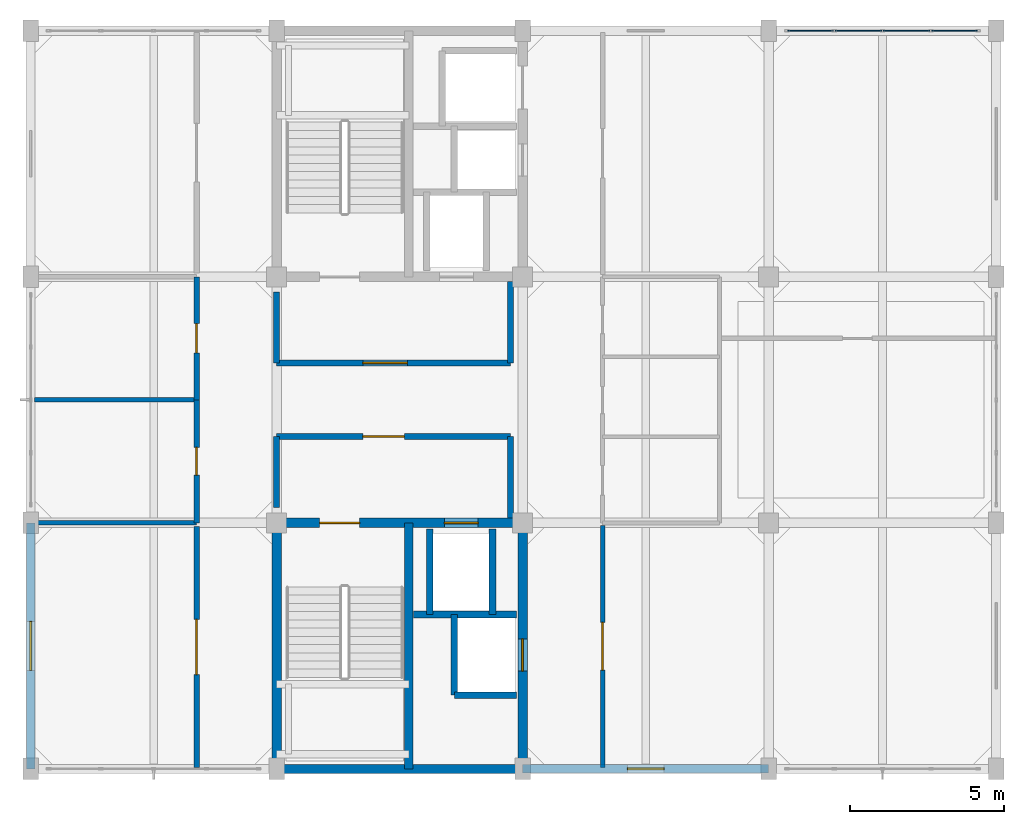
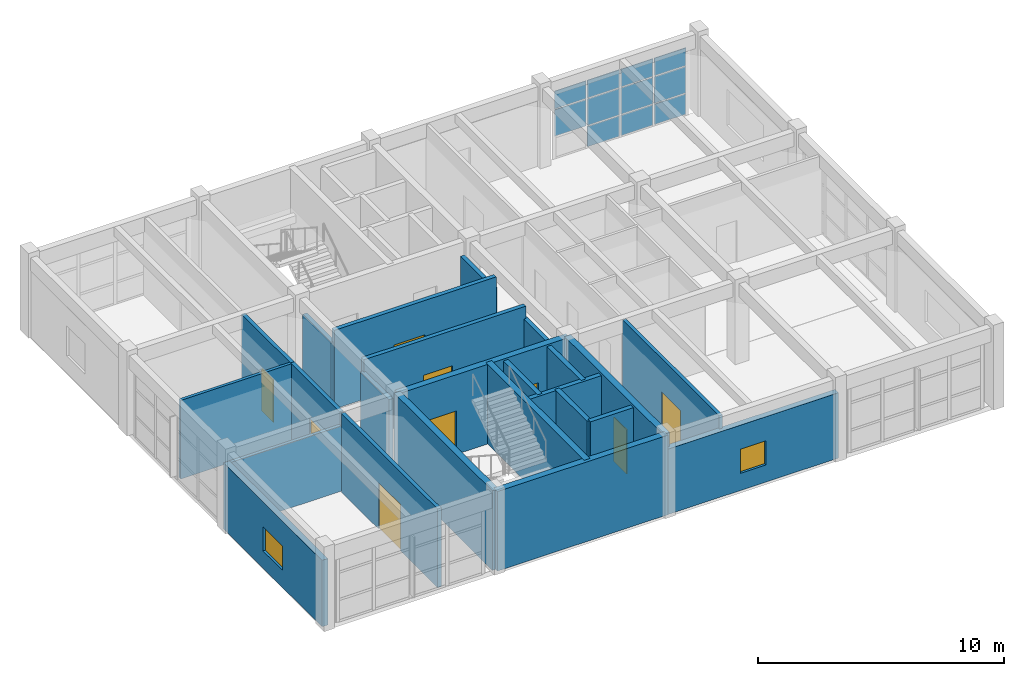
# One storey, part 14 of 18: 24 walls, 11 plates, 9 doors, 2 windows, 11 openings, 1 element without a shape of its own.
"""IFC4 building model written with IfcOpenShell, lengths in metres."""

from ifc_helpers import new_model, si_unit, direction, frame, frame_2d, origin, origin_2d, place, context, subcontext, project, spatial, rectangle, extrude, material, layer, layer_set, type_object, element, fill, aggregate, save


model = new_model("IFC4")

# Units and contexts
model_context = context("Model", 3, precision=1e-05, world=origin(), true_north=direction((0.0, 1.0)))
body_context = subcontext(model_context, "Body", "Model", "MODEL_VIEW")
ifc_project = project(units=[si_unit("LENGTHUNIT", "METRE"), si_unit("AREAUNIT", "SQUARE_METRE"), si_unit("VOLUMEUNIT", "CUBIC_METRE"), si_unit("PLANEANGLEUNIT", "RADIAN"), si_unit("MASSUNIT", "GRAM", prefix="KILO")], contexts=[model_context])

# Site, building, storey
site_placement = place(None, origin())
site = spatial("IfcSite", under=ifc_project, at=site_placement, CompositionType="ELEMENT")
building_placement = place(site_placement, origin())
building = spatial("IfcBuilding", under=site, at=building_placement, Name="Canggui Botanical Conservatory", CompositionType="ELEMENT")
storey_placement = place(building_placement, frame((0.0, 0.0, 61.199951171875)))
storey = spatial("IfcBuildingStorey", under=building, at=storey_placement, Name="L15", CompositionType="ELEMENT", Elevation=61.199951171875)

# Curtain wall, plates
ifc_material_1 = material(Name="Thermally Broken Aluminium", Category="aluminium")
ifc_layer_1 = layer(ifc_material_1, 0.14990234375, Name="Thermally Broken Aluminium", Category="aluminium")
ifc_layer_set_1 = layer_set([ifc_layer_1], Name="Thermally Broken Aluminium")
curtain_wall_type = type_object("IfcCurtainWallType", Name="CW-UNIT-C", PredefinedType="USERDEFINED", material=ifc_layer_set_1)
curtain_wall_placement = place(storey_placement, origin())
curtain_wall = element("IfcCurtainWall", 1, at=curtain_wall_placement, inside=storey, type_object=curtain_wall_type, Name="Facade Curtain Wall CW-TWR-L15-09", ObjectType="UNITISED CURTAIN WALL", PredefinedType="USERDEFINED")
ifc_material_2 = material(Name="Low-E Insulated Glass", Category="glass")
ifc_layer_2 = layer(ifc_material_2, 0.033935546875, Name="Low-E Insulated Glass", Category="glass")
ifc_layer_set_2 = layer_set([ifc_layer_2], Name="Low-E Insulated Glass")
plate_type = type_object("IfcPlateType", Name="CWP-03", PredefinedType="CURTAIN_PANEL", material=ifc_layer_set_2)
plate_1_placement = place(storey_placement, frame((171.360107421875, 66.0, 1.11572265625), z_axis=(0.0, 0.0, 1.0), x_axis=(1.0, 0.0, 0.0)))
plate_1 = element("IfcPlate", 2, at=plate_1_placement, type_object=plate_type, Name="CW-03 panel 1.2", PredefinedType="CURTAIN_PANEL", context=body_context, shape_type="SweptSolid", body=[
    extrude(rectangle(XDim=1.47998046875, YDim=0.033935546875, at=origin_2d()), origin(), (0.0, 0.0, 1.0), 1.304931640625),
])
plate_2_placement = place(storey_placement, frame((171.360107421875, 66.0, 2.4755859375), z_axis=(0.0, 0.0, 1.0), x_axis=(1.0, 0.0, 0.0)))
plate_2 = element("IfcPlate", 3, at=plate_2_placement, type_object=plate_type, Name="CW-03 panel 1.3", PredefinedType="CURTAIN_PANEL", context=body_context, shape_type="SweptSolid", body=[
    extrude(rectangle(XDim=1.47998046875, YDim=0.033935546875, at=origin_2d()), origin(), (0.0, 0.0, 1.0), 0.869384765625),
])
plate_3_placement = place(storey_placement, frame((172.9150390625, 66.0, 0.05517578125), z_axis=(0.0, 0.0, 1.0), x_axis=(1.0, 0.0, 0.0)))
plate_3 = element("IfcPlate", 4, at=plate_3_placement, type_object=plate_type, Name="CW-03 panel 2.1", PredefinedType="CURTAIN_PANEL", context=body_context, shape_type="SweptSolid", body=[
    extrude(rectangle(XDim=1.510009765625, YDim=0.033935546875, at=origin_2d()), origin(), (0.0, 0.0, 1.0), 1.005615234375),
])
plate_4_placement = place(storey_placement, frame((172.9150390625, 66.0, 1.11572265625), z_axis=(0.0, 0.0, 1.0), x_axis=(1.0, 0.0, 0.0)))
plate_4 = element("IfcPlate", 5, at=plate_4_placement, type_object=plate_type, Name="CW-03 panel 2.2", PredefinedType="CURTAIN_PANEL", context=body_context, shape_type="SweptSolid", body=[
    extrude(rectangle(XDim=1.510009765625, YDim=0.033935546875, at=origin_2d()), origin(), (0.0, 0.0, 1.0), 1.304931640625),
])
plate_5_placement = place(storey_placement, frame((172.9150390625, 66.0, 2.4755859375), z_axis=(0.0, 0.0, 1.0), x_axis=(1.0, 0.0, 0.0)))
plate_5 = element("IfcPlate", 6, at=plate_5_placement, type_object=plate_type, Name="CW-03 panel 2.3", PredefinedType="CURTAIN_PANEL", context=body_context, shape_type="SweptSolid", body=[
    extrude(rectangle(XDim=1.510009765625, YDim=0.033935546875, at=origin_2d()), origin(), (0.0, 0.0, 1.0), 0.869384765625),
])
plate_6_placement = place(storey_placement, frame((174.485107421875, 66.0, 0.05517578125), z_axis=(0.0, 0.0, 1.0), x_axis=(1.0, 0.0, 0.0)))
plate_6 = element("IfcPlate", 7, at=plate_6_placement, type_object=plate_type, Name="CW-03 panel 3.1", PredefinedType="CURTAIN_PANEL", context=body_context, shape_type="SweptSolid", body=[
    extrude(rectangle(XDim=1.510009765625, YDim=0.033935546875, at=origin_2d()), origin(), (0.0, 0.0, 1.0), 1.005615234375),
])
plate_7_placement = place(storey_placement, frame((174.485107421875, 66.0, 1.11572265625), z_axis=(0.0, 0.0, 1.0), x_axis=(1.0, 0.0, 0.0)))
plate_7 = element("IfcPlate", 8, at=plate_7_placement, type_object=plate_type, Name="CW-03 panel 3.2", PredefinedType="CURTAIN_PANEL", context=body_context, shape_type="SweptSolid", body=[
    extrude(rectangle(XDim=1.510009765625, YDim=0.033935546875, at=origin_2d()), origin(), (0.0, 0.0, 1.0), 1.304931640625),
])
plate_8_placement = place(storey_placement, frame((174.485107421875, 66.0, 2.4755859375), z_axis=(0.0, 0.0, 1.0), x_axis=(1.0, 0.0, 0.0)))
plate_8 = element("IfcPlate", 9, at=plate_8_placement, type_object=plate_type, Name="CW-03 panel 3.3", PredefinedType="CURTAIN_PANEL", context=body_context, shape_type="SweptSolid", body=[
    extrude(rectangle(XDim=1.510009765625, YDim=0.033935546875, at=origin_2d()), origin(), (0.0, 0.0, 1.0), 0.869384765625),
])
plate_9_placement = place(storey_placement, frame((176.0400390625, 66.0, 0.05517578125), z_axis=(0.0, 0.0, 1.0), x_axis=(1.0, 0.0, 0.0)))
plate_9 = element("IfcPlate", 10, at=plate_9_placement, type_object=plate_type, Name="CW-03 panel 4.1", PredefinedType="CURTAIN_PANEL", context=body_context, shape_type="SweptSolid", body=[
    extrude(rectangle(XDim=1.47998046875, YDim=0.033935546875, at=origin_2d()), origin(), (0.0, 0.0, 1.0), 1.005615234375),
])
plate_10_placement = place(storey_placement, frame((176.0400390625, 66.0, 1.11572265625), z_axis=(0.0, 0.0, 1.0), x_axis=(1.0, 0.0, 0.0)))
plate_10 = element("IfcPlate", 11, at=plate_10_placement, type_object=plate_type, Name="CW-03 panel 4.2", PredefinedType="CURTAIN_PANEL", context=body_context, shape_type="SweptSolid", body=[
    extrude(rectangle(XDim=1.47998046875, YDim=0.033935546875, at=origin_2d()), origin(), (0.0, 0.0, 1.0), 1.304931640625),
])
plate_11_placement = place(storey_placement, frame((176.0400390625, 66.0, 2.4755859375), z_axis=(0.0, 0.0, 1.0), x_axis=(1.0, 0.0, 0.0)))
plate_11 = element("IfcPlate", 12, at=plate_11_placement, type_object=plate_type, Name="CW-03 panel 4.3", PredefinedType="CURTAIN_PANEL", context=body_context, shape_type="SweptSolid", body=[
    extrude(rectangle(XDim=1.47998046875, YDim=0.033935546875, at=origin_2d()), origin(), (0.0, 0.0, 1.0), 0.869384765625),
])
aggregate(curtain_wall, [plate_1, plate_2, plate_3, plate_4, plate_5, plate_6, plate_7, plate_8, plate_9, plate_10, plate_11])

# Wall, opening, window
ifc_material_3 = material(Name="Precast Concrete C40", Category="concrete")
ifc_layer_3 = layer(ifc_material_3, 0.280029296875, Name="Precast Concrete C40", Category="concrete")
ifc_layer_set_3 = layer_set([ifc_layer_3], Name="Precast Concrete C40")
wall_type_1 = type_object("IfcWallType", Name="EW-280", PredefinedType="STANDARD", material=ifc_layer_set_3)
wall_1_placement = place(storey_placement, frame((170.0, 42.0, 0.0), z_axis=(0.0, 0.0, 1.0), x_axis=(-1.0, 0.0, 0.0)))
wall_1 = element("IfcWall", 13, at=wall_1_placement, inside=storey, type_object=wall_type_1, Name="Tower Insulated Exterior Wall L15-S2", PredefinedType="STANDARD", context=body_context, shape_type="SweptSolid", body=[
    extrude(rectangle(XDim=8.0, YDim=0.280029296875, at=frame_2d((4.0, 0.0))), origin(), (0.0, 0.0, 1.0), 3.239990234375),
])
opening_1_placement = place(wall_1_placement, frame((3.39990234375, 0.0, 0.85009765625)))
opening_1 = element("IfcOpeningElement", 14, at=opening_1_placement, cuts=wall_1, Name="Opening W-06", PredefinedType="OPENING", context=body_context, shape_type="SweptSolid", body=[
    extrude(rectangle(XDim=1.199951171875, YDim=1.199951171875, at=frame_2d((0.60009765625, 0.60009765625))), frame((0.0, 0.14990234375, 0.0), z_axis=(0.0, -1.0, 0.0), x_axis=(1.0, 0.0, 0.0)), (0.0, 0.0, 1.0), 0.300048828125),
])
window_type_1 = type_object("IfcWindowType", Name="WIN-06", PartitioningType="SINGLE_PANEL", PredefinedType="WINDOW", material=ifc_material_2)
window_1_placement = place(opening_1_placement, origin())
window_1 = element("IfcWindow", 15, at=window_1_placement, inside=storey, type_object=window_type_1, Name="Tower Firefighter Rescue Window L15-2", OverallHeight=1.199951171875, OverallWidth=1.199951171875, PartitioningType="SINGLE_PANEL", PredefinedType="WINDOW", context=body_context, shape_type="SweptSolid", body=[
    extrude(rectangle(XDim=1.199951171875, YDim=1.199951171875, at=frame_2d((0.60009765625, 0.60009765625))), frame((0.0, 0.030029296875, 0.0), z_axis=(0.0, -1.0, 0.0), x_axis=(1.0, 0.0, 0.0)), (0.0, 0.0, 1.0), 0.06005859375),
])
fill(opening_1, window_1)

wall_2_placement = place(storey_placement, frame((146.0, 42.0, 0.0), z_axis=(0.0, 0.0, 1.0), x_axis=(0.0, 1.0, 0.0)))
wall_2 = element("IfcWall", 16, at=wall_2_placement, inside=storey, type_object=wall_type_1, Name="Tower Insulated Exterior Wall L15-W4", PredefinedType="STANDARD", context=body_context, shape_type="SweptSolid", body=[
    extrude(rectangle(XDim=8.0, YDim=0.280029296875, at=frame_2d((4.0, 0.0))), origin(), (0.0, 0.0, 1.0), 3.2900390625),
])
opening_2_placement = place(wall_2_placement, frame((3.199951171875, 0.0, 0.85009765625)))
opening_2 = element("IfcOpeningElement", 17, at=opening_2_placement, cuts=wall_2, Name="Opening W-04", PredefinedType="OPENING", context=body_context, shape_type="SweptSolid", body=[
    extrude(rectangle(XDim=1.60009765625, YDim=1.199951171875, at=frame_2d((0.800048828125, 0.60009765625))), frame((0.0, 0.14990234375, 0.0), z_axis=(0.0, -1.0, 0.0), x_axis=(1.0, 0.0, 0.0)), (0.0, 0.0, 1.0), 0.300048828125),
])
window_type_2 = type_object("IfcWindowType", Name="WIN-04", PartitioningType="SINGLE_PANEL", PredefinedType="WINDOW", material=ifc_material_2)
window_2_placement = place(opening_2_placement, origin())
window_2 = element("IfcWindow", 18, at=window_2_placement, inside=storey, type_object=window_type_2, Name="Tower Window L15-4", OverallHeight=1.199951171875, OverallWidth=1.60009765625, PartitioningType="SINGLE_PANEL", PredefinedType="WINDOW", context=body_context, shape_type="SweptSolid", body=[
    extrude(rectangle(XDim=1.60009765625, YDim=1.199951171875, at=frame_2d((0.800048828125, 0.60009765625))), frame((0.0, 0.030029296875, 0.0), z_axis=(0.0, -1.0, 0.0), x_axis=(1.0, 0.0, 0.0)), (0.0, 0.0, 1.0), 0.06005859375),
])
fill(opening_2, window_2)

# Wall, opening, door
ifc_material_4 = material(Name="Gypsum Plasterboard Partition")
ifc_layer_4 = layer(ifc_material_4, 0.175048828125, Name="Gypsum Plasterboard Partition")
ifc_layer_set_4 = layer_set([ifc_layer_4], Name="Gypsum Plasterboard Partition")
wall_type_2 = type_object("IfcWallType", Name="IW-CORR-175", PredefinedType="STANDARD", material=ifc_layer_set_4)
wall_3_placement = place(storey_placement, frame((151.39990234375, 42.050048828125, 0.0), z_axis=(0.0, 0.0, 1.0), x_axis=(0.0, 1.0, 0.0)))
wall_3 = element("IfcWall", 19, at=wall_3_placement, inside=storey, type_object=wall_type_2, Name="L15 Visiting Botanist Fellowship Studio Corridor Wall", PredefinedType="STANDARD", context=body_context, shape_type="SweptSolid", body=[
    extrude(rectangle(XDim=7.829833984375, YDim=0.175048828125, at=frame_2d((3.9150390625, 0.0))), origin(), (0.0, 0.0, 1.0), 3.900146484375),
])
opening_3_placement = place(wall_3_placement, frame((3.014892578125, 0.0, 0.0)))
opening_3 = element("IfcOpeningElement", 20, at=opening_3_placement, cuts=wall_3, Name="Opening FD-17", PredefinedType="OPENING", context=body_context, shape_type="SweptSolid", body=[
    extrude(rectangle(XDim=1.800048828125, YDim=2.300048828125, at=frame_2d((0.89990234375, 1.14990234375))), frame((0.0, 0.09765625, 0.0), z_axis=(0.0, -1.0, 0.0), x_axis=(1.0, 0.0, 0.0)), (0.0, 0.0, 1.0), 0.195068359375),
])
ifc_material_5 = material(Name="Powder-Coated Steel", Category="steel")
door_type_1 = type_object("IfcDoorType", Name="FD-17", OperationType="NOTDEFINED", PredefinedType="DOOR", material=ifc_material_5)
door_1_placement = place(opening_3_placement, origin())
door_1 = element("IfcDoor", 21, at=door_1_placement, inside=storey, type_object=door_type_1, Name="L15 Visiting Botanist Fellowship Studio Entrance Door", OperationType="DOUBLE_DOOR_SINGLE_SWING", OverallHeight=2.300048828125, OverallWidth=1.800048828125, PredefinedType="DOOR", context=body_context, shape_type="SweptSolid", body=[
    extrude(rectangle(XDim=1.800048828125, YDim=2.300048828125, at=frame_2d((0.89990234375, 1.14990234375))), frame((0.0, 0.02490234375, 0.0), z_axis=(0.0, -1.0, 0.0), x_axis=(1.0, 0.0, 0.0)), (0.0, 0.0, 1.0), 0.050048828125),
])
fill(opening_3, door_1)

wall_4_placement = place(storey_placement, frame((151.39990234375, 50.0, 0.0), z_axis=(0.0, 0.0, 1.0), x_axis=(0.0, 1.0, 0.0)))
wall_4 = element("IfcWall", 22, at=wall_4_placement, inside=storey, type_object=wall_type_2, Name="L15 Cleaners' Store Wall", PredefinedType="STANDARD", context=body_context, shape_type="SweptSolid", body=[
    extrude(rectangle(XDim=4.0, YDim=0.175048828125, at=frame_2d((2.0, 0.0))), origin(), (0.0, 0.0, 1.0), 3.900146484375),
])
opening_4_placement = place(wall_4_placement, frame((1.550048828125, 0.0, 0.0)))
opening_4 = element("IfcOpeningElement", 23, at=opening_4_placement, cuts=wall_4, Name="Opening FD-01", PredefinedType="OPENING", context=body_context, shape_type="SweptSolid", body=[
    extrude(rectangle(XDim=0.89990234375, YDim=2.10009765625, at=frame_2d((0.449951171875, 1.050048828125))), frame((0.0, 0.09765625, 0.0), z_axis=(0.0, -1.0, 0.0), x_axis=(1.0, 0.0, 0.0)), (0.0, 0.0, 1.0), 0.195068359375),
])
door_type_2 = type_object("IfcDoorType", Name="FD-01", OperationType="NOTDEFINED", PredefinedType="DOOR", material=ifc_material_5)
door_2_placement = place(opening_4_placement, origin())
door_2 = element("IfcDoor", 24, at=door_2_placement, inside=storey, type_object=door_type_2, Name="Interior Door IW-L15-STRW1", OperationType="SINGLE_SWING_LEFT", OverallHeight=2.10009765625, OverallWidth=0.89990234375, PredefinedType="DOOR", context=body_context, shape_type="SweptSolid", body=[
    extrude(rectangle(XDim=0.89990234375, YDim=2.10009765625, at=frame_2d((0.449951171875, 1.050048828125))), frame((0.0, 0.02490234375, 0.0), z_axis=(0.0, -1.0, 0.0), x_axis=(1.0, 0.0, 0.0)), (0.0, 0.0, 1.0), 0.050048828125),
])
fill(opening_4, door_2)

wall_5_placement = place(storey_placement, frame((151.39990234375, 54.0, 0.0), z_axis=(0.0, 0.0, 1.0), x_axis=(0.0, 1.0, 0.0)))
wall_5 = element("IfcWall", 25, at=wall_5_placement, inside=storey, type_object=wall_type_2, Name="L15 Consumables Store Wall", PredefinedType="STANDARD", context=body_context, shape_type="SweptSolid", body=[
    extrude(rectangle(XDim=4.0, YDim=0.175048828125, at=frame_2d((2.0, 0.0))), origin(), (0.0, 0.0, 1.0), 3.900146484375),
])
opening_5_placement = place(wall_5_placement, frame((1.52490234375, 0.0, 0.0)))
opening_5 = element("IfcOpeningElement", 26, at=opening_5_placement, cuts=wall_5, Name="Opening FD-02", PredefinedType="OPENING", context=body_context, shape_type="SweptSolid", body=[
    extrude(rectangle(XDim=0.949951171875, YDim=2.10009765625, at=frame_2d((0.47509765625, 1.050048828125))), frame((0.0, 0.09765625, 0.0), z_axis=(0.0, -1.0, 0.0), x_axis=(1.0, 0.0, 0.0)), (0.0, 0.0, 1.0), 0.195068359375),
])
door_type_3 = type_object("IfcDoorType", Name="FD-02", OperationType="NOTDEFINED", PredefinedType="DOOR", material=ifc_material_5)
door_3_placement = place(opening_5_placement, origin())
door_3 = element("IfcDoor", 27, at=door_3_placement, inside=storey, type_object=door_type_3, Name="Interior Door IW-L15-STRW2", OperationType="SINGLE_SWING_RIGHT", OverallHeight=2.10009765625, OverallWidth=0.949951171875, PredefinedType="DOOR", context=body_context, shape_type="SweptSolid", body=[
    extrude(rectangle(XDim=0.949951171875, YDim=2.10009765625, at=frame_2d((0.47509765625, 1.050048828125))), frame((0.0, 0.02490234375, 0.0), z_axis=(0.0, -1.0, 0.0), x_axis=(1.0, 0.0, 0.0)), (0.0, 0.0, 1.0), 0.050048828125),
])
fill(opening_5, door_3)

ifc_layer_5 = layer(ifc_material_4, 0.155029296875, Name="Gypsum Plasterboard Partition")
ifc_layer_set_5 = layer_set([ifc_layer_5], Name="Gypsum Plasterboard Partition")
wall_type_3 = type_object("IfcWallType", Name="IW-LAB-155", PredefinedType="STANDARD", material=ifc_layer_set_5)
wall_6_placement = place(storey_placement, frame((164.60009765625, 42.050048828125, 0.0), z_axis=(0.0, 0.0, 1.0), x_axis=(0.0, 1.0, 0.0)))
wall_6 = element("IfcWall", 28, at=wall_6_placement, inside=storey, type_object=wall_type_3, Name="L15 International Botanical Symposium Hall Lab Wall", PredefinedType="STANDARD", context=body_context, shape_type="SweptSolid", body=[
    extrude(rectangle(XDim=7.869873046875, YDim=0.155029296875, at=frame_2d((3.93505859375, 0.0))), origin(), (0.0, 0.0, 1.0), 3.900146484375),
])
opening_6_placement = place(wall_6_placement, frame((3.159912109375, 0.0, 0.0)))
opening_6 = element("IfcOpeningElement", 29, at=opening_6_placement, cuts=wall_6, Name="Opening FD-14", PredefinedType="OPENING", context=body_context, shape_type="SweptSolid", body=[
    extrude(rectangle(XDim=1.550048828125, YDim=2.25, at=frame_2d((0.77490234375, 1.125))), frame((0.0, 0.08740234375, 0.0), z_axis=(0.0, -1.0, 0.0), x_axis=(1.0, 0.0, 0.0)), (0.0, 0.0, 1.0), 0.175048828125),
])
door_type_4 = type_object("IfcDoorType", Name="FD-14", OperationType="NOTDEFINED", PredefinedType="DOOR", material=ifc_material_5)
door_4_placement = place(opening_6_placement, origin())
door_4 = element("IfcDoor", 30, at=door_4_placement, inside=storey, type_object=door_type_4, Name="Interior Door IW-L15-ECOR-1-1", OperationType="SINGLE_SWING_LEFT", OverallHeight=2.25, OverallWidth=1.550048828125, PredefinedType="DOOR", context=body_context, shape_type="SweptSolid", body=[
    extrude(rectangle(XDim=1.550048828125, YDim=2.25, at=frame_2d((0.77490234375, 1.125))), frame((0.0, 0.02490234375, 0.0), z_axis=(0.0, -1.0, 0.0), x_axis=(1.0, 0.0, 0.0)), (0.0, 0.0, 1.0), 0.050048828125),
])
fill(opening_6, door_4)

ifc_material_6 = material(Name="Concrete C35", Category="concrete")
ifc_layer_6 = layer(ifc_material_6, 0.195068359375, Name="Concrete C35", Category="concrete")
ifc_layer_set_6 = layer_set([ifc_layer_6], Name="Concrete C35")
wall_type_4 = type_object("IfcWallType", Name="IW-LOBBY-195", PredefinedType="STANDARD", material=ifc_layer_set_6)
wall_7_placement = place(storey_placement, frame((154.0, 52.800048828125, 0.0), z_axis=(0.0, 0.0, 1.0), x_axis=(1.0, 0.0, 0.0)))
wall_7 = element("IfcWall", 31, at=wall_7_placement, inside=storey, type_object=wall_type_4, Name="L15 South Firefighting Lift Lobby North Wall", PredefinedType="STANDARD", context=body_context, shape_type="SweptSolid", body=[
    extrude(rectangle(XDim=7.60009765625, YDim=0.195068359375, at=frame_2d((3.800048828125, 0.0))), origin(), (0.0, 0.0, 1.0), 3.900146484375),
])
opening_7_placement = place(wall_7_placement, frame((2.800048828125, 0.0, 0.0)))
opening_7 = element("IfcOpeningElement", 32, at=opening_7_placement, cuts=wall_7, Name="Opening FD-10", PredefinedType="OPENING", context=body_context, shape_type="SweptSolid", body=[
    extrude(rectangle(XDim=1.35009765625, YDim=2.14990234375, at=frame_2d((0.675048828125, 1.074951171875))), frame((0.0, 0.107421875, 0.0), z_axis=(0.0, -1.0, 0.0), x_axis=(1.0, 0.0, 0.0)), (0.0, 0.0, 1.0), 0.215087890625),
])
door_type_5 = type_object("IfcDoorType", Name="FD-10", OperationType="NOTDEFINED", PredefinedType="DOOR", material=ifc_material_5)
door_5_placement = place(opening_7_placement, origin())
door_5 = element("IfcDoor", 33, at=door_5_placement, inside=storey, type_object=door_type_5, Name="L15 South Firefighting Lobby Fire Door", OperationType="SINGLE_SWING_RIGHT", OverallHeight=2.14990234375, OverallWidth=1.35009765625, PredefinedType="DOOR", context=body_context, shape_type="SweptSolid", body=[
    extrude(rectangle(XDim=1.35009765625, YDim=2.14990234375, at=frame_2d((0.675048828125, 1.074951171875))), frame((0.0, 0.02490234375, 0.0), z_axis=(0.0, -1.0, 0.0), x_axis=(1.0, 0.0, 0.0)), (0.0, 0.0, 1.0), 0.050048828125),
])
fill(opening_7, door_5)

# Walls
wall_8_placement = place(storey_placement, frame((161.60009765625, 50.14990234375, 0.0), z_axis=(0.0, 0.0, 1.0), x_axis=(0.0, 1.0, 0.0)))
element("IfcWall", 34, at=wall_8_placement, inside=storey, type_object=wall_type_4, Name="L15 South Firefighting Lift Lobby East Wall", PredefinedType="STANDARD", context=body_context, shape_type="SweptSolid", body=[
    extrude(rectangle(XDim=2.650146484375, YDim=0.195068359375, at=frame_2d((1.3251953125, 0.0))), origin(), (0.0, 0.0, 1.0), 3.2900390625),
])
wall_9_placement = place(storey_placement, frame((154.0, 50.5, 0.0), z_axis=(0.0, 0.0, 1.0), x_axis=(0.0, 1.0, 0.0)))
element("IfcWall", 35, at=wall_9_placement, inside=storey, type_object=wall_type_4, Name="L15 South Firefighting Lift Lobby West Wall", PredefinedType="STANDARD", context=body_context, shape_type="SweptSolid", body=[
    extrude(rectangle(XDim=2.300048828125, YDim=0.195068359375, at=frame_2d((1.14990234375, 0.0))), origin(), (0.0, 0.0, 1.0), 3.2900390625),
])

# Wall, opening, door
wall_10_placement = place(storey_placement, frame((154.0, 55.199951171875, 0.0), z_axis=(0.0, 0.0, 1.0), x_axis=(1.0, 0.0, 0.0)))
wall_10 = element("IfcWall", 36, at=wall_10_placement, inside=storey, type_object=wall_type_4, Name="L15 North Firefighting Lift Lobby South Wall", PredefinedType="STANDARD", context=body_context, shape_type="SweptSolid", body=[
    extrude(rectangle(XDim=7.60009765625, YDim=0.195068359375, at=frame_2d((3.800048828125, 0.0))), origin(), (0.0, 0.0, 1.0), 3.900146484375),
])
opening_8_placement = place(wall_10_placement, frame((2.800048828125, 0.0, 0.0)))
opening_8 = element("IfcOpeningElement", 37, at=opening_8_placement, cuts=wall_10, Name="Opening FD-12", PredefinedType="OPENING", context=body_context, shape_type="SweptSolid", body=[
    extrude(rectangle(XDim=1.449951171875, YDim=2.199951171875, at=frame_2d((0.72509765625, 1.10009765625))), frame((0.0, 0.107421875, 0.0), z_axis=(0.0, -1.0, 0.0), x_axis=(1.0, 0.0, 0.0)), (0.0, 0.0, 1.0), 0.215087890625),
])
door_type_6 = type_object("IfcDoorType", Name="FD-12", OperationType="NOTDEFINED", PredefinedType="DOOR", material=ifc_material_5)
door_6_placement = place(opening_8_placement, origin())
door_6 = element("IfcDoor", 38, at=door_6_placement, inside=storey, type_object=door_type_6, Name="L15 North Firefighting Lobby Fire Door", OperationType="SINGLE_SWING_LEFT", OverallHeight=2.199951171875, OverallWidth=1.449951171875, PredefinedType="DOOR", context=body_context, shape_type="SweptSolid", body=[
    extrude(rectangle(XDim=1.449951171875, YDim=2.199951171875, at=frame_2d((0.72509765625, 1.10009765625))), frame((0.0, 0.02490234375, 0.0), z_axis=(0.0, -1.0, 0.0), x_axis=(1.0, 0.0, 0.0)), (0.0, 0.0, 1.0), 0.050048828125),
])
fill(opening_8, door_6)

# Walls
wall_11_placement = place(storey_placement, frame((161.60009765625, 55.199951171875, 0.0), z_axis=(0.0, 0.0, 1.0), x_axis=(0.0, 1.0, 0.0)))
element("IfcWall", 39, at=wall_11_placement, inside=storey, type_object=wall_type_4, Name="L15 North Firefighting Lift Lobby East Wall", PredefinedType="STANDARD", context=body_context, shape_type="SweptSolid", body=[
    extrude(rectangle(XDim=2.650146484375, YDim=0.195068359375, at=frame_2d((1.3251953125, 0.0))), origin(), (0.0, 0.0, 1.0), 3.2900390625),
])
wall_12_placement = place(storey_placement, frame((154.0, 55.199951171875, 0.0), z_axis=(0.0, 0.0, 1.0), x_axis=(0.0, 1.0, 0.0)))
element("IfcWall", 40, at=wall_12_placement, inside=storey, type_object=wall_type_4, Name="L15 North Firefighting Lift Lobby West Wall", PredefinedType="STANDARD", context=body_context, shape_type="SweptSolid", body=[
    extrude(rectangle(XDim=2.300048828125, YDim=0.195068359375, at=frame_2d((1.14990234375, 0.0))), origin(), (0.0, 0.0, 1.0), 3.2900390625),
])
ifc_layer_7 = layer(ifc_material_4, 0.139892578125, Name="Gypsum Plasterboard Partition")
ifc_layer_set_7 = layer_set([ifc_layer_7], Name="Gypsum Plasterboard Partition")
wall_type_5 = type_object("IfcWallType", Name="IW-PART-140", PredefinedType="STANDARD", material=ifc_layer_set_7)
wall_13_placement = place(storey_placement, frame((146.1201171875, 50.0, 0.0), z_axis=(0.0, 0.0, 1.0), x_axis=(1.0, 0.0, 0.0)))
element("IfcWall", 41, at=wall_13_placement, inside=storey, type_object=wall_type_5, Name="L15 Store South Cross Wall", PredefinedType="STANDARD", context=body_context, shape_type="SweptSolid", body=[
    extrude(rectangle(XDim=5.27978515625, YDim=0.139892578125, at=frame_2d((2.639892578125, 0.0))), origin(), (0.0, 0.0, 1.0), 3.239990234375),
])
wall_14_placement = place(storey_placement, frame((146.1201171875, 54.0, 0.0), z_axis=(0.0, 0.0, 1.0), x_axis=(1.0, 0.0, 0.0)))
element("IfcWall", 42, at=wall_14_placement, inside=storey, type_object=wall_type_5, Name="L15 Store Cross Wall", PredefinedType="STANDARD", context=body_context, shape_type="SweptSolid", body=[
    extrude(rectangle(XDim=5.27978515625, YDim=0.139892578125, at=frame_2d((2.639892578125, 0.0))), origin(), (0.0, 0.0, 1.0), 3.900146484375),
])
ifc_layer_8 = layer(ifc_material_6, 0.215087890625, Name="Concrete C35", Category="concrete")
ifc_layer_set_8 = layer_set([ifc_layer_8], Name="Concrete C35")
wall_type_6 = type_object("IfcWallType", Name="IW-SHAFT-215", PredefinedType="STANDARD", material=ifc_layer_set_8)
wall_15_placement = place(storey_placement, frame((158.449951171875, 47.02001953125, 0.0), z_axis=(0.0, 0.0, 1.0), x_axis=(1.0, 0.0, 0.0)))
element("IfcWall", 43, at=wall_15_placement, inside=storey, type_object=wall_type_6, Name="Core T1 Lift Shaft Divider L15", PredefinedType="STANDARD", context=body_context, shape_type="SweptSolid", body=[
    extrude(rectangle(XDim=3.35009765625, YDim=0.215087890625, at=frame_2d((1.675048828125, 0.0))), origin(), (0.0, 0.0, 1.0), 3.900146484375),
])
for number, where, z_axis, x_axis, name in (
    (44, (158.97998046875, 47.02001953125, 0.0), (0.0, 0.0, 1.0), (0.0, 1.0, 0.0), "Core T1 FL-01 West Shaft Wall L15"),
    (45, (161.02001953125, 47.02001953125, 0.0), (0.0, 0.0, 1.0), (0.0, 1.0, 0.0), "Core T1 FL-01 East Shaft Wall L15"),
):
    element("IfcWall", number, at=place(storey_placement, frame(where, z_axis=z_axis, x_axis=x_axis)), inside=storey, type_object=wall_type_6, Name=name, PredefinedType="STANDARD", context=body_context, shape_type="SweptSolid", body=[
        extrude(rectangle(XDim=2.780029296875, YDim=0.215087890625, at=frame_2d((1.39013671875, 0.0))), origin(), (0.0, 0.0, 1.0), 3.900146484375),
    ])
wall_16_placement = place(storey_placement, frame((159.780029296875, 44.39990234375, 0.0), z_axis=(0.0, 0.0, 1.0), x_axis=(0.0, 1.0, 0.0)))
element("IfcWall", 46, at=wall_16_placement, inside=storey, type_object=wall_type_6, Name="Core T1 PL-01 West Shaft Wall L15", PredefinedType="STANDARD", context=body_context, shape_type="SweptSolid", body=[
    extrude(rectangle(XDim=2.6201171875, YDim=0.215087890625, at=frame_2d((1.31005859375, 0.0))), origin(), (0.0, 0.0, 1.0), 3.900146484375),
])
wall_17_placement = place(storey_placement, frame((159.780029296875, 44.39990234375, 0.0), z_axis=(0.0, 0.0, 1.0), x_axis=(1.0, 0.0, 0.0)))
element("IfcWall", 47, at=wall_17_placement, inside=storey, type_object=wall_type_6, Name="Core T1 PL-01 South Shaft Wall L15", PredefinedType="STANDARD", context=body_context, shape_type="SweptSolid", body=[
    extrude(rectangle(XDim=2.02001953125, YDim=0.215087890625, at=frame_2d((1.010009765625, 0.0))), origin(), (0.0, 0.0, 1.0), 3.900146484375),
])
ifc_layer_9 = layer(ifc_material_6, 0.280029296875, Name="Concrete C35", Category="concrete")
ifc_layer_set_9 = layer_set([ifc_layer_9], Name="Concrete C35")
wall_type_7 = type_object("IfcWallType", Name="WALL-SH-280-C35", PredefinedType="SHEAR", material=ifc_layer_set_9)
wall_18_placement = place(storey_placement, frame((158.300048828125, 42.0, 0.0), z_axis=(0.0, 0.0, 1.0), x_axis=(0.0, 1.0, 0.0)))
element("IfcWall", 48, at=wall_18_placement, inside=storey, type_object=wall_type_7, Name="Core T1 Internal Shear Web L15", PredefinedType="SHEAR", context=body_context, shape_type="SweptSolid", body=[
    extrude(rectangle(XDim=8.0, YDim=0.280029296875, at=frame_2d((4.0, 0.0))), origin(), (0.0, 0.0, 1.0), 3.949951171875),
])
ifc_layer_10 = layer(ifc_material_6, 0.300048828125, Name="Concrete C35", Category="concrete")
ifc_layer_set_10 = layer_set([ifc_layer_10], Name="Concrete C35")
wall_type_8 = type_object("IfcWallType", Name="WALL-SH-300-C35", PredefinedType="SHEAR", material=ifc_layer_set_10)
wall_19_placement = place(storey_placement, frame((154.0, 42.0, 0.0), z_axis=(0.0, 0.0, 1.0), x_axis=(1.0, 0.0, 0.0)))
element("IfcWall", 49, at=wall_19_placement, inside=storey, type_object=wall_type_8, Name="Core T1 Shear Wall L15-S", PredefinedType="SHEAR", context=body_context, shape_type="SweptSolid", body=[
    extrude(rectangle(XDim=8.0, YDim=0.300048828125, at=frame_2d((4.0, 0.0))), origin(), (0.0, 0.0, 1.0), 3.949951171875),
])

# Wall, opening, door
wall_20_placement = place(storey_placement, frame((162.0, 42.0, 0.0), z_axis=(0.0, 0.0, 1.0), x_axis=(0.0, 1.0, 0.0)))
wall_20 = element("IfcWall", 50, at=wall_20_placement, inside=storey, type_object=wall_type_8, Name="Core T1 Shear Wall L15-E", PredefinedType="SHEAR", context=body_context, shape_type="SweptSolid", body=[
    extrude(rectangle(XDim=8.0, YDim=0.300048828125, at=frame_2d((4.0, 0.0))), origin(), (0.0, 0.0, 1.0), 3.949951171875),
])
opening_9_placement = place(wall_20_placement, frame((3.175048828125, 0.0, 0.0)))
opening_9 = element("IfcOpeningElement", 51, at=opening_9_placement, cuts=wall_20, Name="Opening LD-02", PredefinedType="OPENING", context=body_context, shape_type="SweptSolid", body=[
    extrude(rectangle(XDim=1.050048828125, YDim=2.199951171875, at=frame_2d((0.52490234375, 1.10009765625))), frame((0.0, 0.16015625, 0.0), z_axis=(0.0, -1.0, 0.0), x_axis=(1.0, 0.0, 0.0)), (0.0, 0.0, 1.0), 0.320068359375),
])
ifc_material_7 = material(Name="Stainless Steel 304", Category="steel")
door_type_7 = type_object("IfcDoorType", Name="LDR-02", OperationType="NOTDEFINED", PredefinedType="DOOR", material=ifc_material_7)
door_7_placement = place(opening_9_placement, origin())
door_7 = element("IfcDoor", 52, at=door_7_placement, inside=storey, type_object=door_type_7, Name="Passenger Lift PL-01 Landing Door L15", OperationType="SLIDING_TO_LEFT", OverallHeight=2.199951171875, OverallWidth=1.050048828125, PredefinedType="DOOR", context=body_context, shape_type="SweptSolid", body=[
    extrude(rectangle(XDim=1.050048828125, YDim=2.199951171875, at=frame_2d((0.52490234375, 1.10009765625))), frame((0.0, 0.02490234375, 0.0), z_axis=(0.0, -1.0, 0.0), x_axis=(1.0, 0.0, 0.0)), (0.0, 0.0, 1.0), 0.050048828125),
])
fill(opening_9, door_7)

# Wall, openings, doors
wall_21_placement = place(storey_placement, frame((162.0, 50.0, 0.0), z_axis=(0.0, 0.0, 1.0), x_axis=(-1.0, 0.0, 0.0)))
wall_21 = element("IfcWall", 53, at=wall_21_placement, inside=storey, type_object=wall_type_8, Name="Core T1 Shear Wall L15-N", PredefinedType="SHEAR", context=body_context, shape_type="SweptSolid", body=[
    extrude(rectangle(XDim=8.0, YDim=0.300048828125, at=frame_2d((4.0, 0.0))), origin(), (0.0, 0.0, 1.0), 3.949951171875),
])
opening_10_placement = place(wall_21_placement, frame((5.300048828125, 0.0, 0.0)))
opening_10 = element("IfcOpeningElement", 54, at=opening_10_placement, cuts=wall_21, Name="Opening FD-09", PredefinedType="OPENING", context=body_context, shape_type="SweptSolid", body=[
    extrude(rectangle(XDim=1.300048828125, YDim=2.14990234375, at=frame_2d((0.64990234375, 1.074951171875))), frame((0.0, 0.16015625, 0.0), z_axis=(0.0, -1.0, 0.0), x_axis=(1.0, 0.0, 0.0)), (0.0, 0.0, 1.0), 0.320068359375),
])
opening_11_placement = place(wall_21_placement, frame((1.449951171875, 0.0, 0.0)))
opening_11 = element("IfcOpeningElement", 55, at=opening_11_placement, cuts=wall_21, Name="Opening LD-01", PredefinedType="OPENING", context=body_context, shape_type="SweptSolid", body=[
    extrude(rectangle(XDim=1.10009765625, YDim=2.199951171875, at=frame_2d((0.550048828125, 1.10009765625))), frame((0.0, 0.16015625, 0.0), z_axis=(0.0, -1.0, 0.0), x_axis=(1.0, 0.0, 0.0)), (0.0, 0.0, 1.0), 0.320068359375),
])
door_type_8 = type_object("IfcDoorType", Name="FD-09", OperationType="NOTDEFINED", PredefinedType="DOOR", material=ifc_material_5)
door_8_placement = place(opening_10_placement, origin())
door_8 = element("IfcDoor", 56, at=door_8_placement, inside=storey, type_object=door_type_8, Name="Tower South Smoke-Proof Stair Door L15", OperationType="SINGLE_SWING_LEFT", OverallHeight=2.14990234375, OverallWidth=1.300048828125, PredefinedType="DOOR", context=body_context, shape_type="SweptSolid", body=[
    extrude(rectangle(XDim=1.300048828125, YDim=2.14990234375, at=frame_2d((0.64990234375, 1.074951171875))), frame((0.0, 0.02490234375, 0.0), z_axis=(0.0, -1.0, 0.0), x_axis=(1.0, 0.0, 0.0)), (0.0, 0.0, 1.0), 0.050048828125),
])
fill(opening_10, door_8)
door_type_9 = type_object("IfcDoorType", Name="LDR-01", OperationType="NOTDEFINED", PredefinedType="DOOR", material=ifc_material_7)
door_9_placement = place(opening_11_placement, origin())
door_9 = element("IfcDoor", 57, at=door_9_placement, inside=storey, type_object=door_type_9, Name="Firefighting Lift FL-01 Landing Door L15", OperationType="SLIDING_TO_LEFT", OverallHeight=2.199951171875, OverallWidth=1.10009765625, PredefinedType="DOOR", context=body_context, shape_type="SweptSolid", body=[
    extrude(rectangle(XDim=1.10009765625, YDim=2.199951171875, at=frame_2d((0.550048828125, 1.10009765625))), frame((0.0, 0.02490234375, 0.0), z_axis=(0.0, -1.0, 0.0), x_axis=(1.0, 0.0, 0.0)), (0.0, 0.0, 1.0), 0.050048828125),
])
fill(opening_11, door_9)

# Wall
wall_22_placement = place(storey_placement, frame((154.0, 50.0, 0.0), z_axis=(0.0, 0.0, 1.0), x_axis=(0.0, -1.0, 0.0)))
element("IfcWall", 58, at=wall_22_placement, inside=storey, type_object=wall_type_8, Name="Core T1 Shear Wall L15-W", PredefinedType="SHEAR", context=body_context, shape_type="SweptSolid", body=[
    extrude(rectangle(XDim=8.0, YDim=0.300048828125, at=frame_2d((4.0, 0.0))), origin(), (0.0, 0.0, 1.0), 3.949951171875),
])

save(model, "model.ifc")
